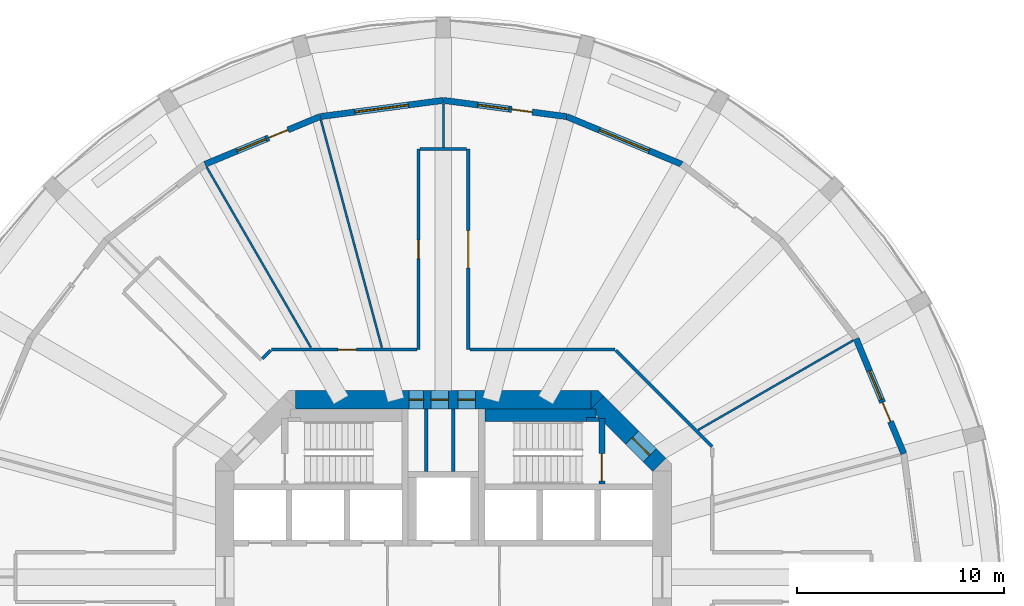
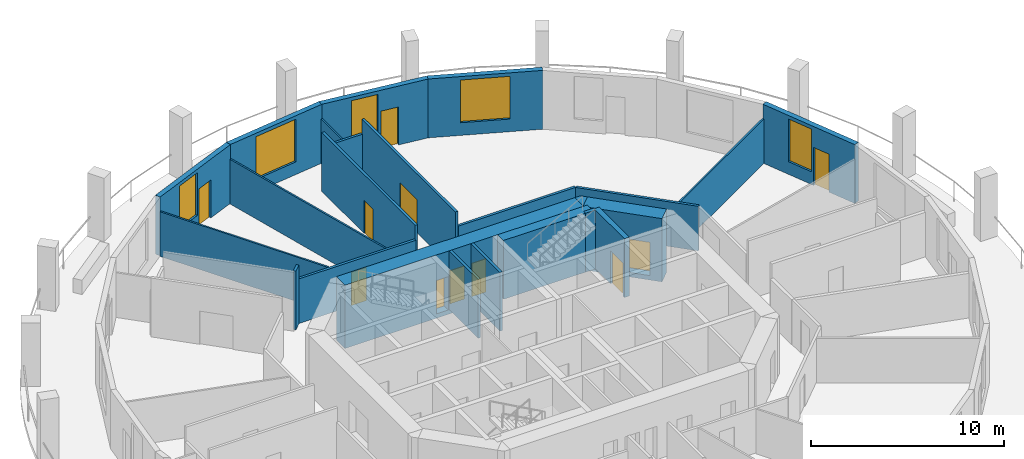
# One storey, part 6 of 9: 24 walls, 11 doors, 5 windows, 16 openings.
"""IFC4 building model written with IfcOpenShell, lengths in metres."""

from ifc_helpers import new_model, si_unit, direction, frame, frame_2d, origin, place, context, subcontext, project, spatial, polyline, rectangle, outline, extrude, material, layer, layer_set, type_object, element, fill, save


model = new_model("IFC4")

# Units and contexts
model_context = context("Model", 3, precision=1e-05, world=origin(), true_north=direction((0.0, 1.0)))
body_context = subcontext(model_context, "Body", "Model", "MODEL_VIEW")
ifc_project = project(units=[si_unit("LENGTHUNIT", "METRE"), si_unit("AREAUNIT", "SQUARE_METRE"), si_unit("VOLUMEUNIT", "CUBIC_METRE"), si_unit("PLANEANGLEUNIT", "RADIAN"), si_unit("MASSUNIT", "GRAM", prefix="KILO")], contexts=[model_context])

# Site, building, storey
site_placement = place(None, origin())
site = spatial("IfcSite", under=ifc_project, at=site_placement, CompositionType="ELEMENT")
building_placement = place(site_placement, origin())
building = spatial("IfcBuilding", under=site, at=building_placement, Name="Torre Triforio", CompositionType="ELEMENT")
storey_placement = place(building_placement, frame((0.0, 0.0, 71.0)))
storey = spatial("IfcBuildingStorey", under=building, at=storey_placement, Name="L15", CompositionType="ELEMENT", Elevation=71.0)

# Wall, openings, doors
ifc_material_1 = material(Name="Concrete C60", Category="concrete")
ifc_layer_1 = layer(ifc_material_1, 0.89990234375)
ifc_layer_set_1 = layer_set([ifc_layer_1], Name="Concrete C60")
wall_type_1 = type_object("IfcWallType", Name="Core wall 900 mm C60 EI 120", PredefinedType="SHEAR", material=ifc_layer_set_1)
wall_1_placement = place(storey_placement, frame((-7.1298828125, 8.550048828125, -0.280029296875), z_axis=(0.0, 0.0, 1.0), x_axis=(1.0, 0.0, 0.0)))
wall_1 = element("IfcWall", 1, at=wall_1_placement, inside=storey, type_object=wall_type_1, Name="Core wall", PredefinedType="SHEAR", context=body_context, shape_type="SweptSolid", body=[
    extrude(rectangle(XDim=14.259765625, YDim=0.89990234375, at=frame_2d((7.1298828125, 0.0))), origin(), (0.0, 0.0, 1.0), 4.0),
])
opening_1_placement = place(wall_1_placement, frame((5.47998046875, 0.0, 0.280029296875)))
opening_1 = element("IfcOpeningElement", 2, at=opening_1_placement, cuts=wall_1, Name="Opening RISER-N", PredefinedType="OPENING", context=body_context, shape_type="SweptSolid", body=[
    extrude(rectangle(XDim=0.699951171875, YDim=2.10009765625, at=frame_2d((0.35009765625, 1.050048828125))), frame((0.0, 0.4599609375, 0.0), z_axis=(0.0, -1.0, 0.0), x_axis=(1.0, 0.0, 0.0)), (0.0, 0.0, 1.0), 0.919921875),
])
opening_2_placement = place(wall_1_placement, frame((6.530029296875, 0.0, 0.280029296875)))
opening_2 = element("IfcOpeningElement", 3, at=opening_2_placement, cuts=wall_1, Name="Opening NE-01A", PredefinedType="OPENING", context=body_context, shape_type="SweptSolid", body=[
    extrude(rectangle(XDim=0.85009765625, YDim=2.10009765625, at=frame_2d((0.425048828125, 1.050048828125))), frame((0.0, 0.4599609375, 0.0), z_axis=(0.0, -1.0, 0.0), x_axis=(1.0, 0.0, 0.0)), (0.0, 0.0, 1.0), 0.919921875),
])
opening_3_placement = place(wall_1_placement, frame((7.830078125, 0.0, 0.280029296875)))
opening_3 = element("IfcOpeningElement", 4, at=opening_3_placement, cuts=wall_1, Name="Opening NE-02", PredefinedType="OPENING", context=body_context, shape_type="SweptSolid", body=[
    extrude(rectangle(XDim=0.85009765625, YDim=2.10009765625, at=frame_2d((0.425048828125, 1.050048828125))), frame((0.0, 0.4599609375, 0.0), z_axis=(0.0, -1.0, 0.0), x_axis=(1.0, 0.0, 0.0)), (0.0, 0.0, 1.0), 0.919921875),
])
ifc_material_2 = material(Name="Hollow metal fire door leaf")
door_type_1 = type_object("IfcDoorType", Name="Plant room door 850 x 2100 EI 60", OperationType="NOTDEFINED", PredefinedType="DOOR", material=ifc_material_2)
door_1_placement = place(opening_3_placement, origin())
door_1 = element("IfcDoor", 5, at=door_1_placement, inside=storey, type_object=door_type_1, Name="Core door NE-02", OperationType="SINGLE_SWING_RIGHT", OverallHeight=2.10009765625, OverallWidth=0.85009765625, PredefinedType="DOOR", context=body_context, shape_type="SweptSolid", body=[
    extrude(rectangle(XDim=0.85009765625, YDim=2.10009765625, at=frame_2d((0.425048828125, 1.050048828125))), frame((0.0, 0.02490234375, 0.0), z_axis=(0.0, -1.0, 0.0), x_axis=(1.0, 0.0, 0.0)), (0.0, 0.0, 1.0), 0.050048828125),
])
fill(opening_3, door_1)
door_type_2 = type_object("IfcDoorType", Name="Riser door 700 x 2100 EI 60", OperationType="NOTDEFINED", PredefinedType="DOOR", material=ifc_material_2)
door_2_placement = place(opening_1_placement, origin())
door_2 = element("IfcDoor", 6, at=door_2_placement, inside=storey, type_object=door_type_2, Name="Core door RISER-N", OperationType="SINGLE_SWING_LEFT", OverallHeight=2.10009765625, OverallWidth=0.699951171875, PredefinedType="DOOR", context=body_context, shape_type="SweptSolid", body=[
    extrude(rectangle(XDim=0.699951171875, YDim=2.10009765625, at=frame_2d((0.35009765625, 1.050048828125))), frame((0.0, 0.02490234375, 0.0), z_axis=(0.0, -1.0, 0.0), x_axis=(1.0, 0.0, 0.0)), (0.0, 0.0, 1.0), 0.050048828125),
])
fill(opening_1, door_2)
door_type_3 = type_object("IfcDoorType", Name="Room door 850 x 2100 EI 60", OperationType="NOTDEFINED", PredefinedType="DOOR", material=ifc_material_2)
door_3_placement = place(opening_2_placement, origin())
door_3 = element("IfcDoor", 7, at=door_3_placement, inside=storey, type_object=door_type_3, Name="Core door NE-01", OperationType="SINGLE_SWING_LEFT", OverallHeight=2.10009765625, OverallWidth=0.85009765625, PredefinedType="DOOR", context=body_context, shape_type="SweptSolid", body=[
    extrude(rectangle(XDim=0.85009765625, YDim=2.10009765625, at=frame_2d((0.425048828125, 1.050048828125))), frame((0.0, 0.02490234375, 0.0), z_axis=(0.0, -1.0, 0.0), x_axis=(1.0, 0.0, 0.0)), (0.0, 0.0, 1.0), 0.050048828125),
])
fill(opening_2, door_3)

# Wall, opening, door
wall_2_placement = place(storey_placement, frame((7.418212890625, 8.418212890625, -0.280029296875), z_axis=(0.0, 0.0, 1.0), x_axis=(0.707106781187, -0.707106781187, 0.0)))
wall_2 = element("IfcWall", 8, at=wall_2_placement, inside=storey, type_object=wall_type_1, Name="Core wall", PredefinedType="SHEAR", context=body_context, shape_type="SweptSolid", body=[
    extrude(rectangle(XDim=4.24267578125, YDim=0.89990234375, at=frame_2d((2.121337890625, 0.0))), origin(), (0.0, 0.0, 1.0), 4.0),
])
opening_4_placement = place(wall_2_placement, frame((2.392578125, 0.0, 0.280029296875)))
opening_4 = element("IfcOpeningElement", 9, at=opening_4_placement, cuts=wall_2, Name="Opening ST2-EXIT", PredefinedType="OPENING", context=body_context, shape_type="SweptSolid", body=[
    extrude(rectangle(XDim=1.199951171875, YDim=2.10009765625, at=frame_2d((0.60009765625, 1.050048828125))), frame((0.0, 0.4599609375, 0.0), z_axis=(0.0, -1.0, 0.0), x_axis=(1.0, 0.0, 0.0)), (0.0, 0.0, 1.0), 0.919921875),
])
door_type_4 = type_object("IfcDoorType", Name="Stair lobby door 1200 x 2100 EI 60", OperationType="NOTDEFINED", PredefinedType="DOOR", material=ifc_material_2)
door_4_placement = place(opening_4_placement, origin())
door_4 = element("IfcDoor", 10, at=door_4_placement, inside=storey, type_object=door_type_4, Name="Core door ST2-EXIT", OperationType="SINGLE_SWING_RIGHT", OverallHeight=2.10009765625, OverallWidth=1.199951171875, PredefinedType="DOOR", context=body_context, shape_type="SweptSolid", body=[
    extrude(rectangle(XDim=1.199951171875, YDim=2.10009765625, at=frame_2d((0.60009765625, 1.050048828125))), frame((0.0, 0.02490234375, 0.0), z_axis=(0.0, -1.0, 0.0), x_axis=(1.0, 0.0, 0.0)), (0.0, 0.0, 1.0), 0.050048828125),
])
fill(opening_4, door_4)

# Walls
wall_3_placement = place(storey_placement, frame((0.0, 0.0, -0.280029296875)))
element("IfcWall", 11, at=wall_3_placement, inside=storey, type_object=wall_type_1, Name="Core wall", PredefinedType="SHEAR", context=body_context, shape_type="SweptSolid", body=[
    extrude(outline(polyline([(7.472900390625, 9.0), (7.736328125, 8.736328125), (7.1298828125, 8.1298828125), (7.1298828125, 9.0), (7.472900390625, 9.0)])), origin(), (0.0, 0.0, 1.0), 4.0),
])
ifc_material_3 = material(Name="Plasterboard on metal studs")
ifc_layer_2 = layer(ifc_material_3, 0.14990234375)
ifc_layer_set_2 = layer_set([ifc_layer_2], Name="Plasterboard on metal studs")
wall_type_2 = type_object("IfcWallType", Name="Corridor and tenancy wall 150 mm EI 60", PredefinedType="PARTITIONING", material=ifc_layer_set_2)
wall_4_placement = place(storey_placement, frame((-8.7314453125, 10.534423828125, 0.0), z_axis=(0.0, 0.0, 1.0), x_axis=(0.707106781187, 0.707106781187, 0.0)))
element("IfcWall", 12, at=wall_4_placement, inside=storey, type_object=wall_type_2, Name="Partition 11", PredefinedType="PARTITIONING", context=body_context, shape_type="SweptSolid", body=[
    extrude(rectangle(XDim=0.57080078125, YDim=0.14990234375, at=frame_2d((0.285400390625, 0.0))), origin(), (0.0, 0.0, 1.0), 3.719970703125),
])

# Wall, opening, door
wall_5_placement = place(storey_placement, frame((-8.291015625, 10.97509765625, 0.0), z_axis=(0.0, 0.0, 1.0), x_axis=(1.0, 0.0, 0.0)))
wall_5 = element("IfcWall", 13, at=wall_5_placement, inside=storey, type_object=wall_type_2, Name="Partition 12", PredefinedType="PARTITIONING", context=body_context, shape_type="SweptSolid", body=[
    extrude(rectangle(XDim=7.01611328125, YDim=0.14990234375, at=frame_2d((3.508056640625, 0.0))), origin(), (0.0, 0.0, 1.0), 2.820068359375),
])
opening_5_placement = place(wall_5_placement, frame((3.198486328125, 0.0, 0.0)))
opening_5 = element("IfcOpeningElement", 14, at=opening_5_placement, cuts=wall_5, Name="Opening N5-03", PredefinedType="OPENING", context=body_context, shape_type="SweptSolid", body=[
    extrude(rectangle(XDim=0.89990234375, YDim=2.10009765625, at=frame_2d((0.449951171875, 1.050048828125))), frame((0.0, 0.0849609375, 0.0), z_axis=(0.0, -1.0, 0.0), x_axis=(1.0, 0.0, 0.0)), (0.0, 0.0, 1.0), 0.169921875),
])
ifc_material_4 = material(Name="Timber", Category="wood")
door_type_5 = type_object("IfcDoorType", Name="Door 900 x 2100 single leaf EI 30", OperationType="NOTDEFINED", PredefinedType="DOOR", material=ifc_material_4)
door_5_placement = place(opening_5_placement, origin())
door_5 = element("IfcDoor", 15, at=door_5_placement, inside=storey, type_object=door_type_5, Name="Door N5-03", OperationType="SINGLE_SWING_LEFT", OverallHeight=2.10009765625, OverallWidth=0.89990234375, PredefinedType="DOOR", context=body_context, shape_type="SweptSolid", body=[
    extrude(rectangle(XDim=0.89990234375, YDim=2.10009765625, at=frame_2d((0.449951171875, 1.050048828125))), frame((0.0, 0.02490234375, 0.0), z_axis=(0.0, -1.0, 0.0), x_axis=(1.0, 0.0, 0.0)), (0.0, 0.0, 1.0), 0.050048828125),
])
fill(opening_5, door_5)

wall_6_placement = place(storey_placement, frame((-1.199951171875, 10.97509765625, 0.0), z_axis=(0.0, 0.0, 1.0), x_axis=(0.0, 1.0, 0.0)))
wall_6 = element("IfcWall", 16, at=wall_6_placement, inside=storey, type_object=wall_type_2, Name="Partition 13", PredefinedType="PARTITIONING", context=body_context, shape_type="SweptSolid", body=[
    extrude(rectangle(XDim=9.673583984375, YDim=0.14990234375, at=frame_2d((4.8369140625, 0.0))), origin(), (0.0, 0.0, 1.0), 3.719970703125),
])
opening_6_placement = place(wall_6_placement, frame((4.386962890625, 0.0, 0.0)))
opening_6 = element("IfcOpeningElement", 17, at=opening_6_placement, cuts=wall_6, Name="Opening N5-02", PredefinedType="OPENING", context=body_context, shape_type="SweptSolid", body=[
    extrude(rectangle(XDim=0.89990234375, YDim=2.10009765625, at=frame_2d((0.449951171875, 1.050048828125))), frame((0.0, 0.0849609375, 0.0), z_axis=(0.0, -1.0, 0.0), x_axis=(1.0, 0.0, 0.0)), (0.0, 0.0, 1.0), 0.169921875),
])
door_6_placement = place(opening_6_placement, origin())
door_6 = element("IfcDoor", 18, at=door_6_placement, inside=storey, type_object=door_type_5, Name="Door N5-02", OperationType="SINGLE_SWING_RIGHT", OverallHeight=2.10009765625, OverallWidth=0.89990234375, PredefinedType="DOOR", context=body_context, shape_type="SweptSolid", body=[
    extrude(rectangle(XDim=0.89990234375, YDim=2.10009765625, at=frame_2d((0.449951171875, 1.050048828125))), frame((0.0, 0.02490234375, 0.0), z_axis=(0.0, -1.0, 0.0), x_axis=(1.0, 0.0, 0.0)), (0.0, 0.0, 1.0), 0.050048828125),
])
fill(opening_6, door_6)

# Wall
wall_7_placement = place(storey_placement, frame((-1.125, 20.648681640625, 0.0), z_axis=(0.0, 0.0, 1.0), x_axis=(1.0, 0.0, 0.0)))
element("IfcWall", 19, at=wall_7_placement, inside=storey, type_object=wall_type_2, Name="Partition 14", PredefinedType="PARTITIONING", context=body_context, shape_type="SweptSolid", body=[
    extrude(rectangle(XDim=2.25, YDim=0.14990234375, at=frame_2d((1.125, 0.0))), origin(), (0.0, 0.0, 1.0), 2.820068359375),
])

# Wall, opening, door
wall_8_placement = place(storey_placement, frame((1.199951171875, 20.648681640625, 0.0), z_axis=(0.0, 0.0, 1.0), x_axis=(0.0, -1.0, 0.0)))
wall_8 = element("IfcWall", 20, at=wall_8_placement, inside=storey, type_object=wall_type_2, Name="Partition 15", PredefinedType="PARTITIONING", context=body_context, shape_type="SweptSolid", body=[
    extrude(rectangle(XDim=9.673583984375, YDim=0.14990234375, at=frame_2d((4.8369140625, 0.0))), origin(), (0.0, 0.0, 1.0), 3.719970703125),
])
opening_7_placement = place(wall_8_placement, frame((3.93701171875, 0.0, 0.0)))
opening_7 = element("IfcOpeningElement", 21, at=opening_7_placement, cuts=wall_8, Name="Opening N5-01", PredefinedType="OPENING", context=body_context, shape_type="SweptSolid", body=[
    extrude(rectangle(XDim=1.800048828125, YDim=2.10009765625, at=frame_2d((0.89990234375, 1.050048828125))), frame((0.0, 0.0849609375, 0.0), z_axis=(0.0, -1.0, 0.0), x_axis=(1.0, 0.0, 0.0)), (0.0, 0.0, 1.0), 0.169921875),
])
door_type_6 = type_object("IfcDoorType", Name="Door 1800 x 2100 double leaf EI 30", OperationType="DOUBLE_DOOR_SINGLE_SWING", PredefinedType="DOOR", material=ifc_material_4)
door_7_placement = place(opening_7_placement, origin())
door_7 = element("IfcDoor", 22, at=door_7_placement, inside=storey, type_object=door_type_6, Name="Door N5-01", OperationType="DOUBLE_DOOR_SINGLE_SWING", OverallHeight=2.10009765625, OverallWidth=1.800048828125, PredefinedType="DOOR", context=body_context, shape_type="SweptSolid", body=[
    extrude(rectangle(XDim=1.800048828125, YDim=2.10009765625, at=frame_2d((0.89990234375, 1.050048828125))), frame((0.0, 0.02490234375, 0.0), z_axis=(0.0, -1.0, 0.0), x_axis=(1.0, 0.0, 0.0)), (0.0, 0.0, 1.0), 0.050048828125),
])
fill(opening_7, door_7)

# Walls
wall_9_placement = place(storey_placement, frame((1.27490234375, 10.97509765625, 0.0), z_axis=(0.0, 0.0, 1.0), x_axis=(1.0, 0.0, 0.0)))
element("IfcWall", 23, at=wall_9_placement, inside=storey, type_object=wall_type_2, Name="Partition 16", PredefinedType="PARTITIONING", context=body_context, shape_type="SweptSolid", body=[
    extrude(rectangle(XDim=7.01611328125, YDim=0.14990234375, at=frame_2d((3.508056640625, 0.0))), origin(), (0.0, 0.0, 1.0), 2.820068359375),
])
wall_10_placement = place(storey_placement, frame((8.327880859375, 10.93798828125, 0.0), z_axis=(0.0, 0.0, 1.0), x_axis=(0.707125355289, -0.707088206597, 0.0)))
element("IfcWall", 24, at=wall_10_placement, inside=storey, type_object=wall_type_2, Name="Partition 17", PredefinedType="PARTITIONING", context=body_context, shape_type="SweptSolid", body=[
    extrude(rectangle(XDim=6.572021484375, YDim=0.14990234375, at=frame_2d((3.2861328125, 0.0))), origin(), (0.0, 0.0, 1.0), 2.820068359375),
])
ifc_layer_3 = layer(ifc_material_3, 0.10009765625)
ifc_layer_set_3 = layer_set([ifc_layer_3], Name="Plasterboard on metal studs")
wall_type_3 = type_object("IfcWallType", Name="Partition 100 mm board on metal studs", PredefinedType="PARTITIONING", material=ifc_layer_set_3)
wall_11_placement = place(storey_placement, frame((12.294189453125, 7.097900390625, 0.0), z_axis=(0.0, 0.0, 1.0), x_axis=(0.866010547425, 0.500025731086, 0.0)))
element("IfcWall", 25, at=wall_11_placement, inside=storey, type_object=wall_type_3, Name="Partition 33", PredefinedType="PARTITIONING", context=body_context, shape_type="SweptSolid", body=[
    extrude(rectangle(XDim=8.640625, YDim=0.10009765625, at=frame_2d((4.3203125, 0.0))), origin(), (0.0, 0.0, 1.0), 2.820068359375),
])
wall_12_placement = place(storey_placement, frame((0.0, 20.7236328125, 0.0), z_axis=(0.0, 0.0, 1.0), x_axis=(0.0, 1.0, 0.0)))
element("IfcWall", 26, at=wall_12_placement, inside=storey, type_object=wall_type_3, Name="Partition 34", PredefinedType="PARTITIONING", context=body_context, shape_type="SweptSolid", body=[
    extrude(rectangle(XDim=2.113037109375, YDim=0.10009765625, at=frame_2d((1.056640625, 0.0))), origin(), (0.0, 0.0, 1.0), 2.820068359375),
])
wall_13_placement = place(storey_placement, frame((-2.964599609375, 11.064208984375, 0.0), z_axis=(0.0, 0.0, 1.0), x_axis=(-0.258827930947, 0.965923445291, 0.0)))
element("IfcWall", 27, at=wall_13_placement, inside=storey, type_object=wall_type_3, Name="Partition 35", PredefinedType="PARTITIONING", context=body_context, shape_type="SweptSolid", body=[
    extrude(rectangle(XDim=11.38232421875, YDim=0.10009765625, at=frame_2d((5.691162109375, 0.0))), origin(), (0.0, 0.0, 1.0), 2.820068359375),
])
wall_14_placement = place(storey_placement, frame((-6.393798828125, 11.07470703125, 0.0), z_axis=(0.0, 0.0, 1.0), x_axis=(-0.500024592647, 0.866011204747, 0.0)))
element("IfcWall", 28, at=wall_14_placement, inside=storey, type_object=wall_type_3, Name="Partition 36", PredefinedType="PARTITIONING", context=body_context, shape_type="SweptSolid", body=[
    extrude(rectangle(XDim=10.048828125, YDim=0.10009765625, at=frame_2d((5.0244140625, 0.0))), origin(), (0.0, 0.0, 1.0), 2.820068359375),
])
ifc_material_5 = material(Name="Block and board partition")
ifc_layer_4 = layer(ifc_material_5, 0.14990234375)
ifc_layer_set_4 = layer_set([ifc_layer_4], Name="Block and board partition")
wall_type_4 = type_object("IfcWallType", Name="Partition 150 mm", PredefinedType="PARTITIONING", material=ifc_layer_set_4)
wall_15_placement = place(storey_placement, frame((0.47509765625, 5.10009765625, 0.0), z_axis=(0.0, 0.0, 1.0), x_axis=(0.0, 1.0, 0.0)))
element("IfcWall", 29, at=wall_15_placement, inside=storey, type_object=wall_type_4, Name="Partition", PredefinedType="PARTITIONING", context=body_context, shape_type="SweptSolid", body=[
    extrude(rectangle(XDim=3.0, YDim=0.14990234375, at=frame_2d((1.5, 0.0))), origin(), (0.0, 0.0, 1.0), 3.719970703125),
])
ifc_layer_5 = layer(ifc_material_5, 0.14990234375)
ifc_layer_set_5 = layer_set([ifc_layer_5], Name="Block and board partition")
wall_type_5 = type_object("IfcWallType", Name="Partition 150 mm EI 120", PredefinedType="PARTITIONING", material=ifc_layer_set_5)
wall_16_placement = place(storey_placement, frame((-0.824951171875, 5.10009765625, 0.0), z_axis=(0.0, 0.0, 1.0), x_axis=(0.0, 1.0, 0.0)))
element("IfcWall", 30, at=wall_16_placement, inside=storey, type_object=wall_type_5, Name="Partition", PredefinedType="PARTITIONING", context=body_context, shape_type="SweptSolid", body=[
    extrude(rectangle(XDim=3.0, YDim=0.14990234375, at=frame_2d((1.5, 0.0))), origin(), (0.0, 0.0, 1.0), 3.719970703125),
])
ifc_layer_6 = layer(ifc_material_1, 0.199951171875)
ifc_layer_set_6 = layer_set([ifc_layer_6], Name="Concrete C60")
wall_type_6 = type_object("IfcWallType", Name="Stair wall 200 mm C60 EI 120", PredefinedType="SHEAR", material=ifc_layer_set_6)
wall_17_placement = place(storey_placement, frame((6.89990234375, 7.60009765625, 0.0), z_axis=(0.0, 0.0, 1.0), x_axis=(1.0, 0.0, 0.0)))
element("IfcWall", 31, at=wall_17_placement, inside=storey, type_object=wall_type_6, Name="Stair wall", PredefinedType="SHEAR", context=body_context, shape_type="SweptSolid", body=[
    extrude(rectangle(XDim=0.60009765625, YDim=0.199951171875, at=frame_2d((0.300048828125, 0.0))), origin(), (0.0, 0.0, 1.0), 3.719970703125),
])

# Wall, opening, door
ifc_layer_7 = layer(ifc_material_1, 0.300048828125)
ifc_layer_set_7 = layer_set([ifc_layer_7], Name="Concrete C60")
wall_type_7 = type_object("IfcWallType", Name="Stair wall 300 mm C60 EI 120", PredefinedType="SHEAR", material=ifc_layer_set_7)
wall_18_placement = place(storey_placement, frame((7.64990234375, 4.5, 0.0), z_axis=(0.0, 0.0, 1.0), x_axis=(0.0, 1.0, 0.0)))
wall_18 = element("IfcWall", 32, at=wall_18_placement, inside=storey, type_object=wall_type_7, Name="Stair wall", PredefinedType="SHEAR", context=body_context, shape_type="SweptSolid", body=[
    extrude(rectangle(XDim=3.139892578125, YDim=0.300048828125, at=frame_2d((1.56982421875, 0.0))), origin(), (0.0, 0.0, 1.0), 3.719970703125),
])
opening_8_placement = place(wall_18_placement, frame((0.139892578125, 0.0, 0.0)))
opening_8 = element("IfcOpeningElement", 33, at=opening_8_placement, cuts=wall_18, Name="Opening ST2-STA", PredefinedType="OPENING", context=body_context, shape_type="SweptSolid", body=[
    extrude(rectangle(XDim=1.320068359375, YDim=2.10009765625, at=frame_2d((0.66015625, 1.050048828125))), frame((0.0, 0.159912109375, 0.0), z_axis=(0.0, -1.0, 0.0), x_axis=(1.0, 0.0, 0.0)), (0.0, 0.0, 1.0), 0.320068359375),
])
door_type_7 = type_object("IfcDoorType", Name="Stair door 1320 x 2100 EI 90", OperationType="DOUBLE_DOOR_SINGLE_SWING", PredefinedType="DOOR", material=ifc_material_2)
door_8_placement = place(opening_8_placement, origin())
door_8 = element("IfcDoor", 34, at=door_8_placement, inside=storey, type_object=door_type_7, Name="Core door ST2-ST", OperationType="DOUBLE_DOOR_SINGLE_SWING", OverallHeight=2.10009765625, OverallWidth=1.320068359375, PredefinedType="DOOR", context=body_context, shape_type="SweptSolid", body=[
    extrude(rectangle(XDim=1.320068359375, YDim=2.10009765625, at=frame_2d((0.66015625, 1.050048828125))), frame((0.0, 0.02490234375, 0.0), z_axis=(0.0, -1.0, 0.0), x_axis=(1.0, 0.0, 0.0)), (0.0, 0.0, 1.0), 0.050048828125),
])
fill(opening_8, door_8)

# Wall
ifc_layer_8 = layer(ifc_material_1, 0.60009765625)
ifc_layer_set_8 = layer_set([ifc_layer_8], Name="Concrete C60")
wall_type_8 = type_object("IfcWallType", Name="Stair wall 600 mm C60 EI 120", PredefinedType="SHEAR", material=ifc_layer_set_8)
wall_19_placement = place(storey_placement, frame((2.0, 7.800048828125, 0.0), z_axis=(0.0, 0.0, 1.0), x_axis=(1.0, 0.0, 0.0)))
element("IfcWall", 35, at=wall_19_placement, inside=storey, type_object=wall_type_8, Name="Stair wall", PredefinedType="SHEAR", context=body_context, shape_type="SweptSolid", body=[
    extrude(rectangle(XDim=5.3701171875, YDim=0.60009765625, at=frame_2d((2.68505859375, 0.0))), origin(), (0.0, 0.0, 1.0), 3.719970703125),
])

# Wall, openings, door, window
ifc_material_6 = material(Name="Limestone cladding", Category="masonry")
ifc_layer_9 = layer(ifc_material_6, 0.10009765625)
ifc_material_7 = material(Name="Concrete C40", Category="concrete")
ifc_layer_10 = layer(ifc_material_7, 0.199951171875)
ifc_layer_set_9 = layer_set([ifc_layer_9, ifc_layer_10], Name="Limestone cladding / Concrete C40")
wall_type_9 = type_object("IfcWallType", Name="Stone-faced composite wall 300", PredefinedType="STANDARD", material=ifc_layer_set_9)
wall_20_placement = place(storey_placement, frame((22.21630859375, 5.952880859375, 0.0), z_axis=(0.0, 0.0, 1.0), x_axis=(-0.382671411433, 0.923884511653, 0.0)))
wall_20 = element("IfcWall", 36, at=wall_20_placement, inside=storey, type_object=wall_type_9, Name="External wall L15 bay 02", PredefinedType="STANDARD", context=body_context, shape_type="SweptSolid", body=[
    extrude(rectangle(XDim=6.004150390625, YDim=0.300048828125, at=frame_2d((3.001953125, 0.0))), origin(), (0.0, 0.0, 1.0), 3.719970703125),
])
opening_9_placement = place(wall_20_placement, frame((1.677001953125, 0.0, 0.0)))
opening_9 = element("IfcOpeningElement", 37, at=opening_9_placement, cuts=wall_20, Name="Opening N5-D02", PredefinedType="OPENING", context=body_context, shape_type="SweptSolid", body=[
    extrude(rectangle(XDim=1.0, YDim=2.39990234375, at=frame_2d((0.5, 1.199951171875))), frame((0.0, 0.159912109375, 0.0), z_axis=(0.0, -1.0, 0.0), x_axis=(1.0, 0.0, 0.0)), (0.0, 0.0, 1.0), 0.320068359375),
])
opening_10_placement = place(wall_20_placement, frame((2.8271484375, 0.0, 0.800048828125)))
opening_10 = element("IfcOpeningElement", 38, at=opening_10_placement, cuts=wall_20, Name="Opening N5-W02A", PredefinedType="OPENING", context=body_context, shape_type="SweptSolid", body=[
    extrude(rectangle(XDim=1.5, YDim=2.699951171875, at=frame_2d((0.75, 1.35009765625))), frame((0.0, 0.159912109375, 0.0), z_axis=(0.0, -1.0, 0.0), x_axis=(1.0, 0.0, 0.0)), (0.0, 0.0, 1.0), 0.320068359375),
])
ifc_material_8 = material(Name="Aluminium frame with clear double glazing", Category="aluminium")
door_type_8 = type_object("IfcDoorType", Name="Loggia door 1000 x 2400", OperationType="NOTDEFINED", PredefinedType="DOOR", material=ifc_material_8)
door_9_placement = place(opening_9_placement, origin())
door_9 = element("IfcDoor", 39, at=door_9_placement, inside=storey, type_object=door_type_8, Name="Loggia door L15 bay 02", OperationType="SINGLE_SWING_LEFT", OverallHeight=2.39990234375, OverallWidth=1.0, PredefinedType="DOOR", context=body_context, shape_type="SweptSolid", body=[
    extrude(rectangle(XDim=1.0, YDim=2.39990234375, at=frame_2d((0.5, 1.199951171875))), frame((0.0, 0.02490234375, 0.0), z_axis=(0.0, -1.0, 0.0), x_axis=(1.0, 0.0, 0.0)), (0.0, 0.0, 1.0), 0.050048828125),
])
fill(opening_9, door_9)
window_type_1 = type_object("IfcWindowType", Name="Side window 1500 x 2700", PartitioningType="SINGLE_PANEL", PredefinedType="WINDOW", material=ifc_material_8)
window_1_placement = place(opening_10_placement, origin())
window_1 = element("IfcWindow", 40, at=window_1_placement, inside=storey, type_object=window_type_1, Name="Side window EWN12 L15 bay 02", OverallHeight=2.699951171875, OverallWidth=1.5, PartitioningType="SINGLE_PANEL", PredefinedType="WINDOW", context=body_context, shape_type="SweptSolid", body=[
    extrude(rectangle(XDim=1.5, YDim=2.699951171875, at=frame_2d((0.75, 1.35009765625))), frame((0.0, 0.030029296875, 0.0), z_axis=(0.0, -1.0, 0.0), x_axis=(1.0, 0.0, 0.0)), (0.0, 0.0, 1.0), 0.06005859375),
])
fill(opening_10, window_1)

# Wall, opening, window
wall_21_placement = place(storey_placement, frame((11.5, 19.918701171875, 0.0), z_axis=(0.0, 0.0, 1.0), x_axis=(-0.923884511653, 0.382671411433, 0.0)))
wall_21 = element("IfcWall", 41, at=wall_21_placement, inside=storey, type_object=wall_type_9, Name="External wall L15 bay 05", PredefinedType="STANDARD", context=body_context, shape_type="SweptSolid", body=[
    extrude(rectangle(XDim=6.004150390625, YDim=0.300048828125, at=frame_2d((3.001953125, 0.0))), origin(), (0.0, 0.0, 1.0), 3.719970703125),
])
opening_11_placement = place(wall_21_placement, frame((1.7021484375, 0.0, 0.800048828125)))
opening_11 = element("IfcOpeningElement", 42, at=opening_11_placement, cuts=wall_21, Name="Opening N5-W05", PredefinedType="OPENING", context=body_context, shape_type="SweptSolid", body=[
    extrude(rectangle(XDim=2.60009765625, YDim=2.699951171875, at=frame_2d((1.300048828125, 1.35009765625))), frame((0.0, 0.159912109375, 0.0), z_axis=(0.0, -1.0, 0.0), x_axis=(1.0, 0.0, 0.0)), (0.0, 0.0, 1.0), 0.320068359375),
])
window_type_2 = type_object("IfcWindowType", Name="Punched window 2600 x 2700", PartitioningType="DOUBLE_PANEL_VERTICAL", PredefinedType="WINDOW", material=ifc_material_8)
window_2_placement = place(opening_11_placement, origin())
window_2 = element("IfcWindow", 43, at=window_2_placement, inside=storey, type_object=window_type_2, Name="Window EWN2 L15 bay 05", OverallHeight=2.699951171875, OverallWidth=2.60009765625, PartitioningType="SINGLE_PANEL", PredefinedType="WINDOW", context=body_context, shape_type="SweptSolid", body=[
    extrude(rectangle(XDim=2.60009765625, YDim=2.699951171875, at=frame_2d((1.300048828125, 1.35009765625))), frame((0.0, 0.030029296875, 0.0), z_axis=(0.0, -1.0, 0.0), x_axis=(1.0, 0.0, 0.0)), (0.0, 0.0, 1.0), 0.06005859375),
])
fill(opening_11, window_2)

# Wall, openings, door, window
wall_22_placement = place(storey_placement, frame((5.952880859375, 22.21630859375, 0.0), z_axis=(0.0, 0.0, 1.0), x_axis=(-0.991445297315, 0.130522880875, 0.0)))
wall_22 = element("IfcWall", 44, at=wall_22_placement, inside=storey, type_object=wall_type_9, Name="External wall L15 bay 06", PredefinedType="STANDARD", context=body_context, shape_type="SweptSolid", body=[
    extrude(rectangle(XDim=6.004150390625, YDim=0.300048828125, at=frame_2d((3.001953125, 0.0))), origin(), (0.0, 0.0, 1.0), 3.719970703125),
])
opening_12_placement = place(wall_22_placement, frame((1.677001953125, 0.0, 0.0)))
opening_12 = element("IfcOpeningElement", 45, at=opening_12_placement, cuts=wall_22, Name="Opening N5-D06", PredefinedType="OPENING", context=body_context, shape_type="SweptSolid", body=[
    extrude(rectangle(XDim=1.0, YDim=2.39990234375, at=frame_2d((0.5, 1.199951171875))), frame((0.0, 0.159912109375, 0.0), z_axis=(0.0, -1.0, 0.0), x_axis=(1.0, 0.0, 0.0)), (0.0, 0.0, 1.0), 0.320068359375),
])
opening_13_placement = place(wall_22_placement, frame((2.8271484375, 0.0, 0.800048828125)))
opening_13 = element("IfcOpeningElement", 46, at=opening_13_placement, cuts=wall_22, Name="Opening N5-W06A", PredefinedType="OPENING", context=body_context, shape_type="SweptSolid", body=[
    extrude(rectangle(XDim=1.5, YDim=2.699951171875, at=frame_2d((0.75, 1.35009765625))), frame((0.0, 0.159912109375, 0.0), z_axis=(0.0, -1.0, 0.0), x_axis=(1.0, 0.0, 0.0)), (0.0, 0.0, 1.0), 0.320068359375),
])
door_10_placement = place(opening_12_placement, origin())
door_10 = element("IfcDoor", 47, at=door_10_placement, inside=storey, type_object=door_type_8, Name="Loggia door L15 bay 06", OperationType="SINGLE_SWING_RIGHT", OverallHeight=2.39990234375, OverallWidth=1.0, PredefinedType="DOOR", context=body_context, shape_type="SweptSolid", body=[
    extrude(rectangle(XDim=1.0, YDim=2.39990234375, at=frame_2d((0.5, 1.199951171875))), frame((0.0, 0.02490234375, 0.0), z_axis=(0.0, -1.0, 0.0), x_axis=(1.0, 0.0, 0.0)), (0.0, 0.0, 1.0), 0.050048828125),
])
fill(opening_12, door_10)
window_3_placement = place(opening_13_placement, origin())
window_3 = element("IfcWindow", 48, at=window_3_placement, inside=storey, type_object=window_type_1, Name="Side window EWN12 L15 bay 06", OverallHeight=2.699951171875, OverallWidth=1.5, PartitioningType="SINGLE_PANEL", PredefinedType="WINDOW", context=body_context, shape_type="SweptSolid", body=[
    extrude(rectangle(XDim=1.5, YDim=2.699951171875, at=frame_2d((0.75, 1.35009765625))), frame((0.0, 0.030029296875, 0.0), z_axis=(0.0, -1.0, 0.0), x_axis=(1.0, 0.0, 0.0)), (0.0, 0.0, 1.0), 0.06005859375),
])
fill(opening_13, window_3)

# Wall, opening, window
wall_23_placement = place(storey_placement, frame((0.0, 23.0, 0.0), z_axis=(0.0, 0.0, 1.0), x_axis=(-0.991445297315, -0.130522880875, 0.0)))
wall_23 = element("IfcWall", 49, at=wall_23_placement, inside=storey, type_object=wall_type_9, Name="External wall L15 bay 07", PredefinedType="STANDARD", context=body_context, shape_type="SweptSolid", body=[
    extrude(rectangle(XDim=6.004150390625, YDim=0.300048828125, at=frame_2d((3.001953125, 0.0))), origin(), (0.0, 0.0, 1.0), 3.719970703125),
])
opening_14_placement = place(wall_23_placement, frame((1.7021484375, 0.0, 0.800048828125)))
opening_14 = element("IfcOpeningElement", 50, at=opening_14_placement, cuts=wall_23, Name="Opening N5-W07", PredefinedType="OPENING", context=body_context, shape_type="SweptSolid", body=[
    extrude(rectangle(XDim=2.60009765625, YDim=2.699951171875, at=frame_2d((1.300048828125, 1.35009765625))), frame((0.0, 0.159912109375, 0.0), z_axis=(0.0, -1.0, 0.0), x_axis=(1.0, 0.0, 0.0)), (0.0, 0.0, 1.0), 0.320068359375),
])
window_4_placement = place(opening_14_placement, origin())
window_4 = element("IfcWindow", 51, at=window_4_placement, inside=storey, type_object=window_type_2, Name="Window EWN2 L15 bay 07", OverallHeight=2.699951171875, OverallWidth=2.60009765625, PartitioningType="SINGLE_PANEL", PredefinedType="WINDOW", context=body_context, shape_type="SweptSolid", body=[
    extrude(rectangle(XDim=2.60009765625, YDim=2.699951171875, at=frame_2d((1.300048828125, 1.35009765625))), frame((0.0, 0.030029296875, 0.0), z_axis=(0.0, -1.0, 0.0), x_axis=(1.0, 0.0, 0.0)), (0.0, 0.0, 1.0), 0.06005859375),
])
fill(opening_14, window_4)

# Wall, openings, door, window
wall_24_placement = place(storey_placement, frame((-5.952880859375, 22.21630859375, 0.0), z_axis=(0.0, 0.0, 1.0), x_axis=(-0.923884511653, -0.382671411433, 0.0)))
wall_24 = element("IfcWall", 52, at=wall_24_placement, inside=storey, type_object=wall_type_9, Name="External wall L15 bay 08", PredefinedType="STANDARD", context=body_context, shape_type="SweptSolid", body=[
    extrude(rectangle(XDim=6.004150390625, YDim=0.300048828125, at=frame_2d((3.001953125, 0.0))), origin(), (0.0, 0.0, 1.0), 3.719970703125),
])
opening_15_placement = place(wall_24_placement, frame((1.677001953125, 0.0, 0.0)))
opening_15 = element("IfcOpeningElement", 53, at=opening_15_placement, cuts=wall_24, Name="Opening N5-D08", PredefinedType="OPENING", context=body_context, shape_type="SweptSolid", body=[
    extrude(rectangle(XDim=1.0, YDim=2.39990234375, at=frame_2d((0.5, 1.199951171875))), frame((0.0, 0.159912109375, 0.0), z_axis=(0.0, -1.0, 0.0), x_axis=(1.0, 0.0, 0.0)), (0.0, 0.0, 1.0), 0.320068359375),
])
opening_16_placement = place(wall_24_placement, frame((2.8271484375, 0.0, 0.800048828125)))
opening_16 = element("IfcOpeningElement", 54, at=opening_16_placement, cuts=wall_24, Name="Opening N5-W08A", PredefinedType="OPENING", context=body_context, shape_type="SweptSolid", body=[
    extrude(rectangle(XDim=1.5, YDim=2.699951171875, at=frame_2d((0.75, 1.35009765625))), frame((0.0, 0.159912109375, 0.0), z_axis=(0.0, -1.0, 0.0), x_axis=(1.0, 0.0, 0.0)), (0.0, 0.0, 1.0), 0.320068359375),
])
door_11_placement = place(opening_15_placement, origin())
door_11 = element("IfcDoor", 55, at=door_11_placement, inside=storey, type_object=door_type_8, Name="Loggia door L15 bay 08", OperationType="SINGLE_SWING_LEFT", OverallHeight=2.39990234375, OverallWidth=1.0, PredefinedType="DOOR", context=body_context, shape_type="SweptSolid", body=[
    extrude(rectangle(XDim=1.0, YDim=2.39990234375, at=frame_2d((0.5, 1.199951171875))), frame((0.0, 0.02490234375, 0.0), z_axis=(0.0, -1.0, 0.0), x_axis=(1.0, 0.0, 0.0)), (0.0, 0.0, 1.0), 0.050048828125),
])
fill(opening_15, door_11)
window_5_placement = place(opening_16_placement, origin())
window_5 = element("IfcWindow", 56, at=window_5_placement, inside=storey, type_object=window_type_1, Name="Side window EWN12 L15 bay 08", OverallHeight=2.699951171875, OverallWidth=1.5, PartitioningType="SINGLE_PANEL", PredefinedType="WINDOW", context=body_context, shape_type="SweptSolid", body=[
    extrude(rectangle(XDim=1.5, YDim=2.699951171875, at=frame_2d((0.75, 1.35009765625))), frame((0.0, 0.030029296875, 0.0), z_axis=(0.0, -1.0, 0.0), x_axis=(1.0, 0.0, 0.0)), (0.0, 0.0, 1.0), 0.06005859375),
])
fill(opening_16, window_5)

save(model, "model.ifc")
